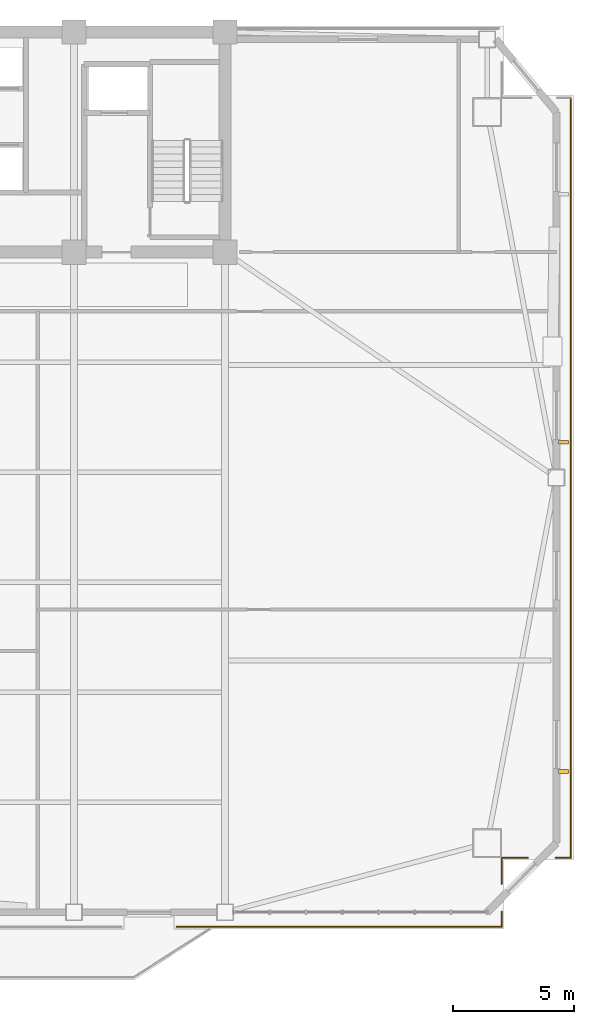
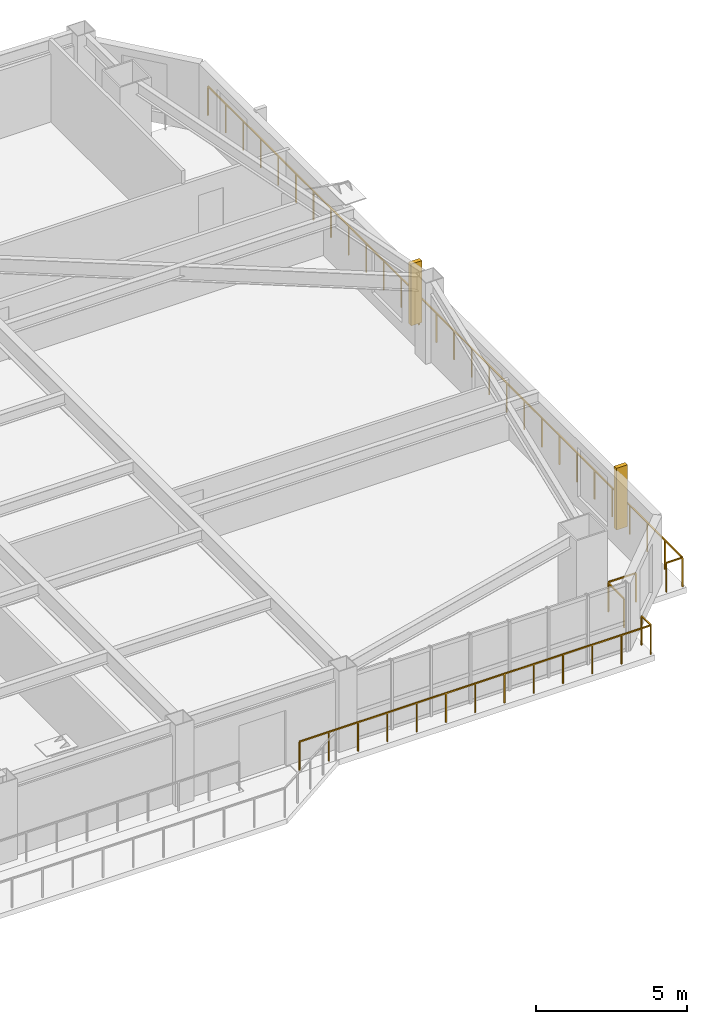
# One storey, part 13 of 15: 6 railings, 2 shading devices.
"""IFC4 building model written with IfcOpenShell, lengths in metres."""

from ifc_helpers import new_model, si_unit, direction, frame, origin, origin_2d, place, context, subcontext, project, spatial, rectangle, extrude, source, transform, mapped, material, type_object, element, save


model = new_model("IFC4")

# Units and contexts
model_context = context("Model", 3, precision=1e-05, world=origin(), true_north=direction((0.0, 1.0)))
body_context = subcontext(model_context, "Body", "Model", "MODEL_VIEW")
ifc_project = project(units=[si_unit("LENGTHUNIT", "METRE"), si_unit("AREAUNIT", "SQUARE_METRE"), si_unit("VOLUMEUNIT", "CUBIC_METRE"), si_unit("PLANEANGLEUNIT", "RADIAN"), si_unit("MASSUNIT", "GRAM", prefix="KILO")], contexts=[model_context])

# Site, building, storey
site_placement = place(None, origin())
site = spatial("IfcSite", under=ifc_project, at=site_placement, CompositionType="ELEMENT")
building_placement = place(site_placement, origin())
building = spatial("IfcBuilding", under=site, at=building_placement, Name="Giltprow Tower", CompositionType="ELEMENT")
storey_placement = place(building_placement, frame((0.0, 0.0, 184.199951171875)))
storey = spatial("IfcBuildingStorey", under=building, at=storey_placement, Name="L46", CompositionType="ELEMENT", Elevation=184.199951171875)

# Railings
ifc_material = material(Name="Anodized bronze", Category="metal")
railing_type = type_object("IfcRailingType", Name="RAIL-BALC-GUARD-1200", PredefinedType="BALUSTRADE", material=ifc_material)
railing_1_placement = place(storey_placement, frame((64.846923828125, 43.839111328125, 0.0)))
element("IfcRailing", 1, at=railing_1_placement, inside=storey, type_object=railing_type, Name="L46 Corner Apron Edge Balustrade 14", PredefinedType="BALUSTRADE", context=body_context, shape_type="SweptSolid", body=[
    extrude(rectangle(XDim=0.048095703125, YDim=0.048095703125, at=origin_2d()), frame((0.0, 0.0, 1.17578125), z_axis=(0.0, -1.0, 0.0), x_axis=(1.0, 0.0, 0.0)), (0.0, 0.0, 1.0), 31.424072265625),
    extrude(rectangle(XDim=0.0419921875, YDim=0.0419921875, at=origin_2d()), origin(), (0.0, 0.0, 1.0), 1.15185546875),
    extrude(rectangle(XDim=0.0419921875, YDim=0.0419921875, at=origin_2d()), frame((0.0, -1.163818359375, 0.0)), (0.0, 0.0, 1.0), 1.15185546875),
    extrude(rectangle(XDim=0.0419921875, YDim=0.0419921875, at=origin_2d()), frame((0.0, -2.32763671875, 0.0)), (0.0, 0.0, 1.0), 1.15185546875),
    extrude(rectangle(XDim=0.0419921875, YDim=0.0419921875, at=origin_2d()), frame((0.0, -3.491455078125, 0.0)), (0.0, 0.0, 1.0), 1.15185546875),
    extrude(rectangle(XDim=0.0419921875, YDim=0.0419921875, at=origin_2d()), frame((0.0, -4.655517578125, 0.0)), (0.0, 0.0, 1.0), 1.15185546875),
    extrude(rectangle(XDim=0.0419921875, YDim=0.0419921875, at=origin_2d()), frame((0.0, -5.8193359375, 0.0)), (0.0, 0.0, 1.0), 1.15185546875),
    extrude(rectangle(XDim=0.0419921875, YDim=0.0419921875, at=origin_2d()), frame((0.0, -6.983154296875, 0.0)), (0.0, 0.0, 1.0), 1.15185546875),
    extrude(rectangle(XDim=0.0419921875, YDim=0.0419921875, at=origin_2d()), frame((0.0, -8.14697265625, 0.0)), (0.0, 0.0, 1.0), 1.15185546875),
    extrude(rectangle(XDim=0.0419921875, YDim=0.0419921875, at=origin_2d()), frame((0.0, -9.310791015625, 0.0)), (0.0, 0.0, 1.0), 1.15185546875),
    extrude(rectangle(XDim=0.0419921875, YDim=0.0419921875, at=origin_2d()), frame((0.0, -10.474609375, 0.0)), (0.0, 0.0, 1.0), 1.15185546875),
    extrude(rectangle(XDim=0.0419921875, YDim=0.0419921875, at=origin_2d()), frame((0.0, -11.638427734375, 0.0)), (0.0, 0.0, 1.0), 1.15185546875),
    extrude(rectangle(XDim=0.0419921875, YDim=0.0419921875, at=origin_2d()), frame((0.0, -12.802490234375, 0.0)), (0.0, 0.0, 1.0), 1.15185546875),
    extrude(rectangle(XDim=0.0419921875, YDim=0.0419921875, at=origin_2d()), frame((0.0, -13.96630859375, 0.0)), (0.0, 0.0, 1.0), 1.15185546875),
    extrude(rectangle(XDim=0.0419921875, YDim=0.0419921875, at=origin_2d()), frame((0.0, -15.130126953125, 0.0)), (0.0, 0.0, 1.0), 1.15185546875),
    extrude(rectangle(XDim=0.0419921875, YDim=0.0419921875, at=origin_2d()), frame((0.0, -16.2939453125, 0.0)), (0.0, 0.0, 1.0), 1.15185546875),
    extrude(rectangle(XDim=0.0419921875, YDim=0.0419921875, at=origin_2d()), frame((0.0, -17.457763671875, 0.0)), (0.0, 0.0, 1.0), 1.15185546875),
    extrude(rectangle(XDim=0.0419921875, YDim=0.0419921875, at=origin_2d()), frame((0.0, -18.62158203125, 0.0)), (0.0, 0.0, 1.0), 1.15185546875),
    extrude(rectangle(XDim=0.0419921875, YDim=0.0419921875, at=origin_2d()), frame((0.0, -19.78564453125, 0.0)), (0.0, 0.0, 1.0), 1.15185546875),
    extrude(rectangle(XDim=0.0419921875, YDim=0.0419921875, at=origin_2d()), frame((0.0, -20.949462890625, 0.0)), (0.0, 0.0, 1.0), 1.15185546875),
    extrude(rectangle(XDim=0.0419921875, YDim=0.0419921875, at=origin_2d()), frame((0.0, -22.11328125, 0.0)), (0.0, 0.0, 1.0), 1.15185546875),
    extrude(rectangle(XDim=0.0419921875, YDim=0.0419921875, at=origin_2d()), frame((0.0, -23.277099609375, 0.0)), (0.0, 0.0, 1.0), 1.15185546875),
    extrude(rectangle(XDim=0.0419921875, YDim=0.0419921875, at=origin_2d()), frame((0.0, -24.44091796875, 0.0)), (0.0, 0.0, 1.0), 1.15185546875),
    extrude(rectangle(XDim=0.0419921875, YDim=0.0419921875, at=origin_2d()), frame((0.0, -25.604736328125, 0.0)), (0.0, 0.0, 1.0), 1.15185546875),
    extrude(rectangle(XDim=0.0419921875, YDim=0.0419921875, at=origin_2d()), frame((0.0, -26.7685546875, 0.0)), (0.0, 0.0, 1.0), 1.15185546875),
    extrude(rectangle(XDim=0.0419921875, YDim=0.0419921875, at=origin_2d()), frame((0.0, -27.9326171875, 0.0)), (0.0, 0.0, 1.0), 1.15185546875),
    extrude(rectangle(XDim=0.0419921875, YDim=0.0419921875, at=origin_2d()), frame((0.0, -29.096435546875, 0.0)), (0.0, 0.0, 1.0), 1.15185546875),
    extrude(rectangle(XDim=0.0419921875, YDim=0.0419921875, at=origin_2d()), frame((0.0, -30.26025390625, 0.0)), (0.0, 0.0, 1.0), 1.15185546875),
    extrude(rectangle(XDim=0.0419921875, YDim=0.0419921875, at=origin_2d()), frame((0.0, -31.424072265625, 0.0)), (0.0, 0.0, 1.0), 1.15185546875),
])
railing_2_placement = place(storey_placement, frame((64.846923828125, 12.4150390625, 0.0)))
element("IfcRailing", 2, at=railing_2_placement, inside=storey, type_object=railing_type, Name="L46 Corner Apron Edge Balustrade 15", PredefinedType="BALUSTRADE", context=body_context, shape_type="SweptSolid", body=[
    extrude(rectangle(XDim=0.048095703125, YDim=0.048095703125, at=origin_2d()), frame((0.0, 0.0, 1.17578125), z_axis=(-1.0, 0.0, 0.0), x_axis=(0.0, -1.0, 0.0)), (0.0, 0.0, 1.0), 0.619873046875),
    extrude(rectangle(XDim=0.0419921875, YDim=0.0419921875, at=origin_2d()), origin(), (0.0, 0.0, 1.0), 1.15185546875),
    extrude(rectangle(XDim=0.0419921875, YDim=0.0419921875, at=origin_2d()), frame((-0.619873046875, 0.0, 0.0)), (0.0, 0.0, 1.0), 1.15185546875),
])
railing_3_placement = place(storey_placement, frame((63.06689453125, 12.4150390625, 0.0)))
element("IfcRailing", 3, at=railing_3_placement, inside=storey, type_object=railing_type, Name="L46 Corner Apron Edge Balustrade 16", PredefinedType="BALUSTRADE", context=body_context, shape_type="SweptSolid", body=[
    extrude(rectangle(XDim=0.048095703125, YDim=0.048095703125, at=origin_2d()), frame((0.0, 0.0, 1.17578125), z_axis=(-1.0, 0.0, 0.0), x_axis=(0.0, -1.0, 0.0)), (0.0, 0.0, 1.0), 1.0458984375),
    extrude(rectangle(XDim=0.0419921875, YDim=0.0419921875, at=origin_2d()), origin(), (0.0, 0.0, 1.0), 1.15185546875),
    extrude(rectangle(XDim=0.0419921875, YDim=0.0419921875, at=origin_2d()), frame((-1.0458984375, 0.0, 0.0)), (0.0, 0.0, 1.0), 1.15185546875),
])
railing_4_placement = place(storey_placement, frame((61.986083984375, 12.3798828125, 0.0)))
element("IfcRailing", 4, at=railing_4_placement, inside=storey, type_object=railing_type, Name="L46 Corner Apron Edge Balustrade 17", PredefinedType="BALUSTRADE", context=body_context, shape_type="SweptSolid", body=[
    extrude(rectangle(XDim=0.048095703125, YDim=0.048095703125, at=origin_2d()), frame((0.0, 0.0, 1.17578125), z_axis=(0.0, -1.0, 0.0), x_axis=(1.0, 0.0, 0.0)), (0.0, 0.0, 1.0), 1.0458984375),
    extrude(rectangle(XDim=0.0419921875, YDim=0.0419921875, at=origin_2d()), origin(), (0.0, 0.0, 1.0), 1.15185546875),
    extrude(rectangle(XDim=0.0419921875, YDim=0.0419921875, at=origin_2d()), frame((0.0, -1.0458984375, 0.0)), (0.0, 0.0, 1.0), 1.15185546875),
])
railing_5_placement = place(storey_placement, frame((61.986083984375, 10.174072265625, 0.0)))
element("IfcRailing", 5, at=railing_5_placement, inside=storey, type_object=railing_type, Name="L46 Corner Apron Edge Balustrade 18", PredefinedType="BALUSTRADE", context=body_context, shape_type="SweptSolid", body=[
    extrude(rectangle(XDim=0.048095703125, YDim=0.048095703125, at=origin_2d()), frame((0.0, 0.0, 1.17578125), z_axis=(0.0, -1.0, 0.0), x_axis=(1.0, 0.0, 0.0)), (0.0, 0.0, 1.0), 0.6201171875),
    extrude(rectangle(XDim=0.0419921875, YDim=0.0419921875, at=origin_2d()), origin(), (0.0, 0.0, 1.0), 1.15185546875),
    extrude(rectangle(XDim=0.0419921875, YDim=0.0419921875, at=origin_2d()), frame((0.0, -0.6201171875, 0.0)), (0.0, 0.0, 1.0), 1.15185546875),
])
railing_6_placement = place(storey_placement, frame((61.986083984375, 9.553955078125, 0.0)))
element("IfcRailing", 6, at=railing_6_placement, inside=storey, type_object=railing_type, Name="L46 Corner Apron Edge Balustrade 19", PredefinedType="BALUSTRADE", context=body_context, shape_type="SweptSolid", body=[
    extrude(rectangle(XDim=0.048095703125, YDim=0.048095703125, at=origin_2d()), frame((0.0, 0.0, 1.17578125), z_axis=(-1.0, 0.0, 0.0), x_axis=(0.0, -1.0, 0.0)), (0.0, 0.0, 1.0), 13.43603515625),
    extrude(rectangle(XDim=0.0419921875, YDim=0.0419921875, at=origin_2d()), origin(), (0.0, 0.0, 1.0), 1.15185546875),
    extrude(rectangle(XDim=0.0419921875, YDim=0.0419921875, at=origin_2d()), frame((-1.11962890625, 0.0, 0.0)), (0.0, 0.0, 1.0), 1.15185546875),
    extrude(rectangle(XDim=0.0419921875, YDim=0.0419921875, at=origin_2d()), frame((-2.2392578125, 0.0, 0.0)), (0.0, 0.0, 1.0), 1.15185546875),
    extrude(rectangle(XDim=0.0419921875, YDim=0.0419921875, at=origin_2d()), frame((-3.35888671875, 0.0, 0.0)), (0.0, 0.0, 1.0), 1.15185546875),
    extrude(rectangle(XDim=0.0419921875, YDim=0.0419921875, at=origin_2d()), frame((-4.478759765625, 0.0, 0.0)), (0.0, 0.0, 1.0), 1.15185546875),
    extrude(rectangle(XDim=0.0419921875, YDim=0.0419921875, at=origin_2d()), frame((-5.598388671875, 0.0, 0.0)), (0.0, 0.0, 1.0), 1.15185546875),
    extrude(rectangle(XDim=0.0419921875, YDim=0.0419921875, at=origin_2d()), frame((-6.718017578125, 0.0, 0.0)), (0.0, 0.0, 1.0), 1.15185546875),
    extrude(rectangle(XDim=0.0419921875, YDim=0.0419921875, at=origin_2d()), frame((-7.837646484375, 0.0, 0.0)), (0.0, 0.0, 1.0), 1.15185546875),
    extrude(rectangle(XDim=0.0419921875, YDim=0.0419921875, at=origin_2d()), frame((-8.957275390625, 0.0, 0.0)), (0.0, 0.0, 1.0), 1.15185546875),
    extrude(rectangle(XDim=0.0419921875, YDim=0.0419921875, at=origin_2d()), frame((-10.0771484375, 0.0, 0.0)), (0.0, 0.0, 1.0), 1.15185546875),
    extrude(rectangle(XDim=0.0419921875, YDim=0.0419921875, at=origin_2d()), frame((-11.19677734375, 0.0, 0.0)), (0.0, 0.0, 1.0), 1.15185546875),
    extrude(rectangle(XDim=0.0419921875, YDim=0.0419921875, at=origin_2d()), frame((-12.31640625, 0.0, 0.0)), (0.0, 0.0, 1.0), 1.15185546875),
    extrude(rectangle(XDim=0.0419921875, YDim=0.0419921875, at=origin_2d()), frame((-13.43603515625, 0.0, 0.0)), (0.0, 0.0, 1.0), 1.15185546875),
])

# Shading devices
shading_device_type = type_object("IfcShadingDeviceType", Name="SHD-FIN-420", PredefinedType="USERDEFINED", material=ifc_material)
shared_shape = source(origin(), body_context, "Body", "SweptSolid", [
    extrude(rectangle(XDim=0.419921875, YDim=0.159912109375, at=origin_2d()), origin(), (0.0, 0.0, 1.0), 2.5),
])
for number, where, z_axis, x_axis, name in (
    (7, (64.547119140625, 15.972900390625, 0.35009765625), (0.0, 0.0, 1.0), (1.0, 0.0, 0.0), "L46 E Bronze Vertical Fin 1-1"),
    (8, (64.547119140625, 29.587890625, 0.35009765625), (0.0, 0.0, 1.0), (1.0, 0.0, 0.0), "L46 E Bronze Vertical Fin 2-1"),
):
    element("IfcShadingDevice", number, at=place(storey_placement, frame(where, z_axis=z_axis, x_axis=x_axis)), inside=storey, type_object=shading_device_type, Name=name, ObjectType="FIN", PredefinedType="USERDEFINED", context=body_context, shape_type="MappedRepresentation", body=[
        mapped(shared_shape, transform((0.0, 0.0, 0.0), x_axis=(1.0, 0.0, 0.0), y_axis=(0.0, 1.0, 0.0), z_axis=(0.0, 0.0, 1.0), scale=1.0)),
    ])

save(model, "model.ifc")
